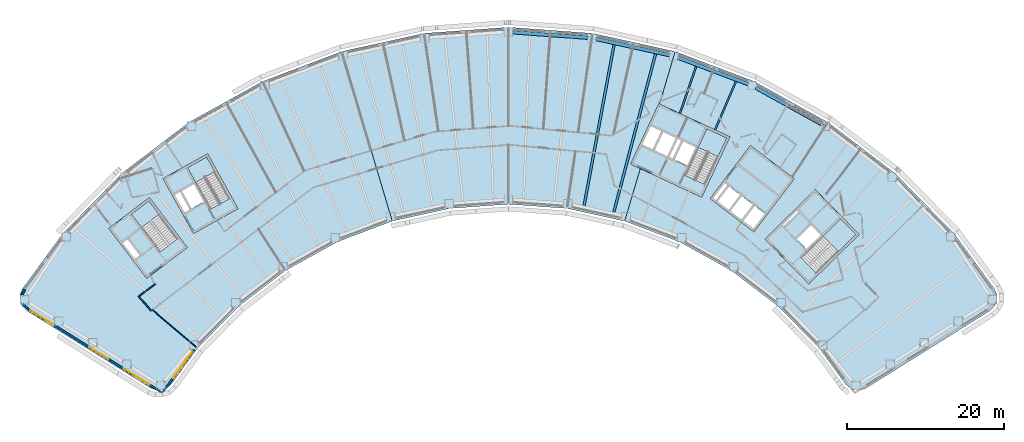
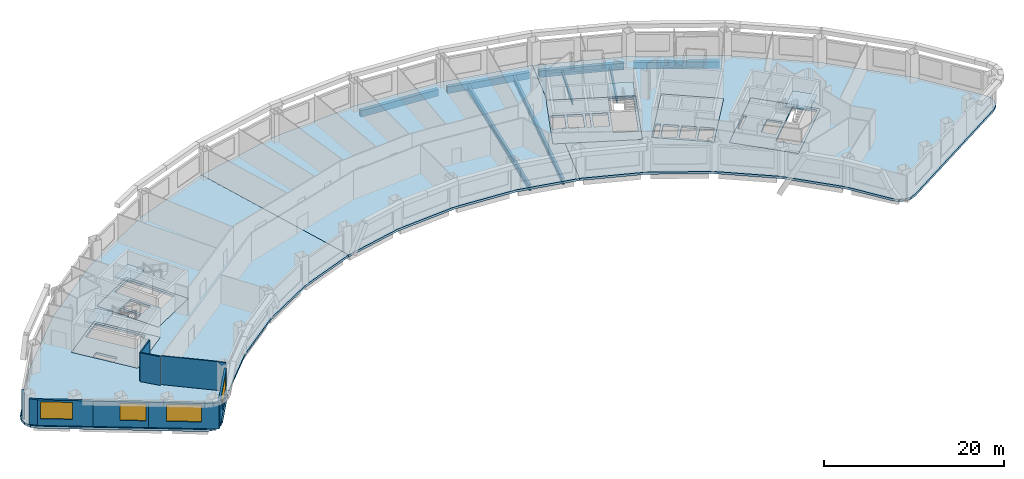
# One storey, part 2 of 11: 12 slabs, 9 walls, 8 beams, 4 windows, 4 openings, 4 elements without a shape of their own.
"""IFC4 building model written with IfcOpenShell, lengths in metres."""

from ifc_helpers import new_model, si_unit, direction, frame, frame_2d, origin, origin_2d, place, context, subcontext, project, spatial, polyline, rectangle, hollow_rectangle, i_section, outline, extrude, material, layer, layer_set, material_profile, profile_set, type_object, element, fill, aggregate, save


model = new_model("IFC4")

# Units and contexts
model_context = context("Model", 3, precision=1e-05, world=origin(), true_north=direction((0.0, 1.0)))
body_context = subcontext(model_context, "Body", "Model", "MODEL_VIEW")
ifc_project = project(units=[si_unit("LENGTHUNIT", "METRE"), si_unit("AREAUNIT", "SQUARE_METRE"), si_unit("VOLUMEUNIT", "CUBIC_METRE"), si_unit("PLANEANGLEUNIT", "RADIAN"), si_unit("MASSUNIT", "GRAM", prefix="KILO")], contexts=[model_context])

# Site, building, storey
site_placement = place(None, origin())
site = spatial("IfcSite", under=ifc_project, at=site_placement, CompositionType="ELEMENT")
building_placement = place(site_placement, origin())
building = spatial("IfcBuilding", under=site, at=building_placement, Name="Tuul Gate Civic Tower", CompositionType="ELEMENT")
storey_placement = place(building_placement, frame((0.0, 0.0, 120.300048828125)))
storey = spatial("IfcBuildingStorey", under=building, at=storey_placement, Name="Level 27", CompositionType="ELEMENT", Elevation=120.300048828125)

# Beams
ifc_material_1 = material(Name="Steel S355", Category="steel")
ifc_material_profile_1 = material_profile(ifc_material_1, i_section(OverallWidth=0.199951171875, OverallDepth=0.5, WebThickness=0.010009765625, FlangeThickness=0.01611328125, at=origin_2d()), Name="PG500x200x10x16")
ifc_profile_set_1 = profile_set([ifc_material_profile_1], Name="Steel S355")
beam_type_1 = type_object("IfcBeamType", Name="STR-FLOOR BEAM-PG500x200x10x16", PredefinedType="BEAM", material=ifc_profile_set_1)
beam_1_placement = place(storey_placement, frame((36.169677734375, 1.197998046875, -0.550048828125), z_axis=(0.394200560457, 0.919024438269, 0.0), x_axis=(-0.919024438269, 0.394200560457, 0.0)))
element("IfcBeam", 1, at=beam_1_placement, inside=storey, type_object=beam_type_1, Name="Floor beam", PredefinedType="BEAM", context=body_context, shape_type="SweptSolid", body=[
    extrude(i_section(OverallWidth=0.199951171875, OverallDepth=0.5, WebThickness=0.010009765625, FlangeThickness=0.01611328125, at=origin_2d()), origin(), (0.0, 0.0, 1.0), 6.704345703125),
])
beam_2_placement = place(storey_placement, frame((31.6875, 3.2880859375, -0.550048828125), z_axis=(0.325502200931, 0.945541282647, 0.0), x_axis=(-0.945541282647, 0.325502200931, 0.0)))
element("IfcBeam", 2, at=beam_2_placement, inside=storey, type_object=beam_type_1, Name="Floor beam", PredefinedType="BEAM", context=body_context, shape_type="SweptSolid", body=[
    extrude(i_section(OverallWidth=0.199951171875, OverallDepth=0.5, WebThickness=0.010009765625, FlangeThickness=0.01611328125, at=origin_2d()), origin(), (0.0, 0.0, 1.0), 6.3310546875),
])
ifc_material_2 = material(Name="Steel S355", Category="steel")
ifc_material_profile_2 = material_profile(ifc_material_2, i_section(OverallWidth=0.300048828125, OverallDepth=0.800048828125, WebThickness=0.013916015625, FlangeThickness=0.02490234375, at=origin_2d()), Name="PG800x300x14x25")
ifc_profile_set_2 = profile_set([ifc_material_profile_2], Name="Steel S355")
beam_type_2 = type_object("IfcBeamType", Name="STR-FLOOR BEAM-PG800x300x14x25", PredefinedType="BEAM", material=ifc_profile_set_2)
beam_3_placement = place(storey_placement, frame((23.267578125, -9.2548828125, -0.699951171875), z_axis=(0.255007612054, 0.966939045542, 0.0), x_axis=(-0.966939045542, 0.255007612054, 0.0)))
element("IfcBeam", 3, at=beam_3_placement, inside=storey, type_object=beam_type_2, Name="Floor beam", PredefinedType="BEAM", context=body_context, shape_type="SweptSolid", body=[
    extrude(i_section(OverallWidth=0.300048828125, OverallDepth=0.800048828125, WebThickness=0.013916015625, FlangeThickness=0.02490234375, at=origin_2d()), origin(), (0.0, 0.0, 1.0), 20.8173828125),
])
beam_4_placement = place(storey_placement, frame((19.477294921875, -8.419677734375, -0.699951171875), z_axis=(0.183147342328, 0.98308547492, 0.0), x_axis=(-0.98308547492, 0.183147342328, 0.0)))
element("IfcBeam", 4, at=beam_4_placement, inside=storey, type_object=beam_type_2, Name="Floor beam", PredefinedType="BEAM", context=body_context, shape_type="SweptSolid", body=[
    extrude(i_section(OverallWidth=0.300048828125, OverallDepth=0.800048828125, WebThickness=0.013916015625, FlangeThickness=0.02490234375, at=origin_2d()), origin(), (0.0, 0.0, 1.0), 20.811279296875),
])
ifc_material_3 = material(Name="Steel S355", Category="steel")
ifc_material_profile_3 = material_profile(ifc_material_3, hollow_rectangle(XDim=0.449951171875, YDim=0.89990234375, WallThickness=0.02490234375, at=origin_2d()), Name="BOX900x450x25")
ifc_profile_set_3 = profile_set([ifc_material_profile_3], Name="Steel S355")
beam_type_3 = type_object("IfcBeamType", Name="STR-SPANDREL BEAM-BOX900x450x25", PredefinedType="BEAM", material=ifc_profile_set_3)
beam_5_placement = place(storey_placement, frame((49.75, 1.9306640625, -0.75), z_axis=(-0.874633056334, 0.484785536879, 0.0), x_axis=(-0.484785536879, -0.874633056334, 0.0)))
element("IfcBeam", 5, at=beam_5_placement, inside=storey, type_object=beam_type_3, Name="Spandrel beam", PredefinedType="BEAM", context=body_context, shape_type="SweptSolid", body=[
    extrude(hollow_rectangle(XDim=0.449951171875, YDim=0.89990234375, WallThickness=0.02490234375, at=origin_2d()), origin(), (0.0, 0.0, 1.0), 9.57666015625),
])
beam_6_placement = place(storey_placement, frame((40.378662109375, 7.034423828125, -0.75), z_axis=(-0.935356695064, 0.353705884879, 0.0), x_axis=(-0.353705884879, -0.935356695064, 0.0)))
element("IfcBeam", 6, at=beam_6_placement, inside=storey, type_object=beam_type_3, Name="Spandrel beam", PredefinedType="BEAM", context=body_context, shape_type="SweptSolid", body=[
    extrude(hollow_rectangle(XDim=0.449951171875, YDim=0.89990234375, WallThickness=0.02490234375, at=origin_2d()), origin(), (0.0, 0.0, 1.0), 9.578369140625),
])
beam_7_placement = place(storey_placement, frame((30.367919921875, 10.7353515625, -0.75), z_axis=(-0.976564052188, 0.215226977802, 0.0), x_axis=(-0.215226977802, -0.976564052188, 0.0)))
element("IfcBeam", 7, at=beam_7_placement, inside=storey, type_object=beam_type_3, Name="Spandrel beam", PredefinedType="BEAM", context=body_context, shape_type="SweptSolid", body=[
    extrude(hollow_rectangle(XDim=0.449951171875, YDim=0.89990234375, WallThickness=0.02490234375, at=origin_2d()), origin(), (0.0, 0.0, 1.0), 9.5771484375),
])
beam_8_placement = place(storey_placement, frame((19.929443359375, 12.954833984375, -0.75), z_axis=(-0.997390439125, 0.072196343002, 0.0), x_axis=(-0.072196343002, -0.997390439125, 0.0)))
element("IfcBeam", 8, at=beam_8_placement, inside=storey, type_object=beam_type_3, Name="Spandrel beam", PredefinedType="BEAM", context=body_context, shape_type="SweptSolid", body=[
    extrude(hollow_rectangle(XDim=0.449951171875, YDim=0.89990234375, WallThickness=0.02490234375, at=origin_2d()), origin(), (0.0, 0.0, 1.0), 9.57666015625),
])

# Slabs
ifc_material_4 = material(Name="Concrete C40/50", Category="concrete")
ifc_layer_1 = layer(ifc_material_4, 0.300048828125)
ifc_layer_set_1 = layer_set([ifc_layer_1], Name="Concrete C40/50")
slab_type_1 = type_object("IfcSlabType", Name="Core floor slab 300", PredefinedType="FLOOR", material=ifc_layer_set_1)
slab_1_placement = place(storey_placement, frame((0.0, 0.0, -0.300048828125)))
element("IfcSlab", 9, at=slab_1_placement, inside=storey, type_object=slab_type_1, Name="FLOOR SLAB", PredefinedType="FLOOR", context=body_context, shape_type="SweptSolid", body=[
    extrude(outline(polyline([(-31.10009765625, -13.7890625), (-35.946044921875, -7.423828125), (-41.11767578125, -11.361572265625), (-36.271484375, -17.726806640625), (-31.10009765625, -13.7890625)]), holes=[polyline([(-37.19287109375, -14.783203125), (-38.737548828125, -12.75439453125), (-39.45361328125, -13.299560546875), (-37.908935546875, -15.328369140625), (-37.19287109375, -14.783203125)]), polyline([(-32.33935546875, -12.65771484375), (-34.56591796875, -14.352783203125), (-38.229736328125, -9.54052734375), (-36.003173828125, -7.845458984375), (-32.33935546875, -12.65771484375)])]), origin(), (0.0, 0.0, 1.0), 0.300048828125),
])
slab_2_placement = place(storey_placement, frame((0.0, 0.0, -0.300048828125)))
element("IfcSlab", 10, at=slab_2_placement, inside=storey, type_object=slab_type_1, Name="FLOOR SLAB", PredefinedType="FLOOR", context=body_context, shape_type="SweptSolid", body=[
    extrude(outline(polyline([(-24.638916015625, -8.846923828125), (-28.51708984375, -1.849853515625), (-34.2021484375, -5.0009765625), (-30.32421875, -11.998046875), (-24.638916015625, -8.846923828125)]), holes=[polyline([(-29.0185546875, -7.958740234375), (-30.254638671875, -5.728515625), (-31.785400390625, -6.576904296875), (-30.54931640625, -8.80712890625), (-29.0185546875, -7.958740234375)]), polyline([(-30.8115234375, -8.95263671875), (-32.047607421875, -6.72216796875), (-32.8349609375, -7.158447265625), (-31.5986328125, -9.388916015625), (-30.8115234375, -8.95263671875)]), polyline([(-25.702392578125, -7.548828125), (-28.14990234375, -8.905517578125), (-31.08203125, -3.615234375), (-28.63427734375, -2.2587890625), (-25.702392578125, -7.548828125)])]), origin(), (0.0, 0.0, 1.0), 0.300048828125),
])
slab_3_placement = place(storey_placement, frame((0.0, 0.0, -0.300048828125)))
element("IfcSlab", 11, at=slab_3_placement, inside=storey, type_object=slab_type_1, Name="FLOOR SLAB", PredefinedType="FLOOR", context=body_context, shape_type="SweptSolid", body=[
    extrude(outline(polyline([(48.117919921875, -18.43310546875), (54.545166015625, -12.1328125), (48.945068359375, -6.419921875), (42.517822265625, -12.719970703125), (48.117919921875, -18.43310546875)]), holes=[polyline([(47.808837890625, -13.974853515625), (49.6298828125, -12.18994140625), (48.40478515625, -10.940185546875), (46.583984375, -12.72509765625), (47.808837890625, -13.974853515625)]), polyline([(44.93896484375, -11.046875), (46.760009765625, -9.261962890625), (46.514892578125, -9.011962890625), (44.69384765625, -10.797119140625), (44.93896484375, -11.046875)]), polyline([(49.086181640625, -17.062744140625), (47.12744140625, -15.064208984375), (52.160888671875, -10.130126953125), (54.11962890625, -12.128662109375), (49.086181640625, -17.062744140625)])]), origin(), (0.0, 0.0, 1.0), 0.300048828125),
])
slab_4_placement = place(storey_placement, frame((0.0, 0.0, -0.300048828125)))
element("IfcSlab", 12, at=slab_4_placement, inside=storey, type_object=slab_type_1, Name="FLOOR SLAB", PredefinedType="FLOOR", context=body_context, shape_type="SweptSolid", body=[
    extrude(outline(polyline([(34.465087890625, -7.385986328125), (38.056884765625, 0.31787109375), (28.993896484375, 4.543701171875), (25.40185546875, -3.159912109375), (34.465087890625, -7.385986328125)]), holes=[polyline([(32.60888671875, -3.32080078125), (33.6865234375, -1.009765625), (32.1005859375, -0.27001953125), (31.02294921875, -2.581298828125), (32.60888671875, -3.32080078125)]), polyline([(30.0712890625, -2.137451171875), (31.14892578125, 0.173583984375), (29.562744140625, 0.9130859375), (28.4853515625, -1.39794921875), (30.0712890625, -2.137451171875)]), polyline([(30.751220703125, -2.454345703125), (31.82861328125, -0.143310546875), (31.4208984375, 0.046875), (30.34326171875, -2.264404296875), (30.751220703125, -2.454345703125)]), polyline([(28.21337890625, -1.27099609375), (29.291015625, 1.0400390625), (27.8408203125, 1.71630859375), (26.76318359375, -0.594970703125), (28.21337890625, -1.27099609375)]), polyline([(34.889892578125, -5.7626953125), (32.353759765625, -4.580078125), (35.120849609375, 1.354736328125), (37.6572265625, 0.17236328125), (34.889892578125, -5.7626953125)])]), origin(), (0.0, 0.0, 1.0), 0.300048828125),
])
ifc_material_5 = material(Name="Concrete C40/50", Category="concrete")
ifc_layer_2 = layer(ifc_material_5, 0.300048828125)
ifc_layer_set_2 = layer_set([ifc_layer_2], Name="Concrete C40/50")
slab_type_2 = type_object("IfcSlabType", Name="Core floor slab 300 non-bearing", PredefinedType="FLOOR", material=ifc_layer_set_2)
slab_5_placement = place(storey_placement, frame((0.0, 0.0, -0.300048828125)))
element("IfcSlab", 13, at=slab_5_placement, inside=storey, type_object=slab_type_2, Name="FLOOR SLAB", PredefinedType="FLOOR", context=body_context, shape_type="SweptSolid", body=[
    extrude(outline(polyline([(41.10107421875, -11.797119140625), (46.25, -5.033935546875), (40.680908203125, -0.79296875), (35.531982421875, -7.555908203125), (41.10107421875, -11.797119140625)]), holes=[polyline([(41.044189453125, -11.37646484375), (42.497802734375, -9.467041015625), (41.22509765625, -8.49755859375), (39.77099609375, -10.4072265625), (41.044189453125, -11.37646484375)]), polyline([(39.532470703125, -10.225341796875), (40.986328125, -8.31591796875), (39.593994140625, -7.255615234375), (38.14013671875, -9.165283203125), (39.532470703125, -10.225341796875)]), polyline([(37.901611328125, -8.9833984375), (39.35546875, -7.073974609375), (37.963134765625, -6.013671875), (36.50927734375, -7.923095703125), (37.901611328125, -8.9833984375)]), polyline([(36.1796875, -7.860595703125), (37.724609375, -5.831787109375), (37.286865234375, -5.49853515625), (35.7421875, -7.527587890625), (36.1796875, -7.860595703125)])]), origin(), (0.0, 0.0, 1.0), 0.300048828125),
])

# Stair, slab
ifc_material_6 = material(Name="Concrete C40/50", Category="concrete")
stair_type = type_object("IfcStairType", Name="Exit stair", PredefinedType="HALF_TURN_STAIR", material=ifc_material_6)
stair_1_placement = place(storey_placement, origin())
stair_1 = element("IfcStair", 14, at=stair_1_placement, inside=storey, type_object=stair_type, Name="Level 27 ST-1", PredefinedType="HALF_TURN_STAIR")
ifc_material_7 = material(Name="Concrete C40/50", Category="concrete")
ifc_layer_3 = layer(ifc_material_7, 0.199951171875)
ifc_layer_set_3 = layer_set([ifc_layer_3], Name="Concrete C40/50")
slab_type_3 = type_object("IfcSlabType", Name="Exit stair landing", PredefinedType="LANDING", material=ifc_layer_set_3)
slab_6_placement = place(storey_placement, frame((0.0, 0.0, 1.89990234375)))
slab_6 = element("IfcSlab", 15, at=slab_6_placement, type_object=slab_type_3, Name="ST-1 landing 1", PredefinedType="LANDING", context=body_context, shape_type="SweptSolid", body=[
    extrude(outline(polyline([(-34.699462890625, -9.554931640625), (-36.9287109375, -11.252197265625), (-38.23193359375, -9.540283203125), (-36.0029296875, -7.843017578125), (-34.699462890625, -9.554931640625)])), origin(), (0.0, 0.0, 1.0), 0.199951171875),
])
aggregate(stair_1, [slab_6])

stair_2_placement = place(storey_placement, origin())
stair_2 = element("IfcStair", 16, at=stair_2_placement, inside=storey, type_object=stair_type, Name="Level 27 ST-2", PredefinedType="HALF_TURN_STAIR")
slab_7_placement = place(storey_placement, frame((0.0, 0.0, 1.89990234375)))
slab_7 = element("IfcSlab", 17, at=slab_7_placement, type_object=slab_type_3, Name="ST-2 landing 1", PredefinedType="LANDING", context=body_context, shape_type="SweptSolid", body=[
    extrude(outline(polyline([(-27.5908203125, -4.138427734375), (-30.041015625, -5.49658203125), (-31.084228515625, -3.61474609375), (-28.6337890625, -2.256591796875), (-27.5908203125, -4.138427734375)])), origin(), (0.0, 0.0, 1.0), 0.199951171875),
])
aggregate(stair_2, [slab_7])

stair_3_placement = place(storey_placement, origin())
stair_3 = element("IfcStair", 18, at=stair_3_placement, inside=storey, type_object=stair_type, Name="Level 27 ST-3", PredefinedType="HALF_TURN_STAIR")
slab_8_placement = place(storey_placement, frame((0.0, 0.0, 1.89990234375)))
slab_8 = element("IfcSlab", 19, at=slab_8_placement, type_object=slab_type_3, Name="ST-3 landing 1", PredefinedType="LANDING", context=body_context, shape_type="SweptSolid", body=[
    extrude(outline(polyline([(51.871337890625, -14.3349609375), (49.91015625, -12.334228515625), (52.160888671875, -10.1279296875), (54.1220703125, -12.128662109375), (51.871337890625, -14.3349609375)])), origin(), (0.0, 0.0, 1.0), 0.199951171875),
])
aggregate(stair_3, [slab_8])

stair_4_placement = place(storey_placement, origin())
stair_4 = element("IfcStair", 20, at=stair_4_placement, inside=storey, type_object=stair_type, Name="Level 27 ST-4", PredefinedType="HALF_TURN_STAIR")
slab_9_placement = place(storey_placement, frame((0.0, 0.0, 1.89990234375)))
slab_9 = element("IfcSlab", 21, at=slab_9_placement, type_object=slab_type_3, Name="ST-4 landing 1", PredefinedType="LANDING", context=body_context, shape_type="SweptSolid", body=[
    extrude(outline(polyline([(36.538818359375, -2.230224609375), (33.999755859375, -1.046142578125), (35.1201171875, 1.35693359375), (37.659423828125, 0.173095703125), (36.538818359375, -2.230224609375)])), origin(), (0.0, 0.0, 1.0), 0.199951171875),
])
aggregate(stair_4, [slab_9])

# Slabs
ifc_material_8 = material(Name="Concrete C35/45", Category="concrete")
ifc_layer_4 = layer(ifc_material_8, 0.300048828125)
ifc_layer_set_4 = layer_set([ifc_layer_4], Name="Concrete C35/45")
slab_type_4 = type_object("IfcSlabType", Name="STR-FLOOR-SLAB-300", PredefinedType="FLOOR", material=ifc_layer_set_4)
slab_10_placement = place(storey_placement, frame((0.0, 0.0, -0.300048828125)))
element("IfcSlab", 22, at=slab_10_placement, inside=storey, type_object=slab_type_4, Name="Level 27/slab/W", PredefinedType="FLOOR", context=body_context, shape_type="SweptSolid", body=[
    extrude(outline(polyline([(-12.0048828125, -13.0830078125), (-4.985107421875, -10.427978515625), (-11.4189453125, 11.194091796875), (-21.488037109375, 7.385986328125), (-30.902099609375, 2.1669921875), (-39.467041015625, -4.35302734375), (-47.001953125, -12.0400390625), (-52.0830078125, -18.9970703125), (-52.4189453125, -19.739990234375), (-52.430908203125, -20.555908203125), (-52.116943359375, -21.30810546875), (-51.527099609375, -21.8720703125), (-35.797119140625, -31.701904296875), (-35.10302734375, -31.971923828125), (-34.35791015625, -31.968994140625), (-33.666015625, -31.694091796875), (-33.1220703125, -31.18505859375), (-29.79296875, -26.626953125), (-24.5400390625, -21.26806640625), (-18.569091796875, -16.720947265625), (-12.0048828125, -13.0830078125)]), holes=[polyline([(-31.10009765625, -13.7890625), (-36.27197265625, -17.72705078125), (-41.117919921875, -11.362060546875), (-35.946044921875, -7.424072265625), (-31.10009765625, -13.7890625)]), polyline([(-24.638916015625, -8.846923828125), (-30.323974609375, -11.998046875), (-34.201904296875, -5.0009765625), (-28.51708984375, -1.85009765625), (-24.638916015625, -8.846923828125)])]), origin(), (0.0, 0.0, 1.0), 0.300048828125),
])
slab_11_placement = place(storey_placement, frame((0.0, 0.0, -0.300048828125)))
element("IfcSlab", 23, at=slab_11_placement, inside=storey, type_object=slab_type_4, Name="Level 27/slab/M", PredefinedType="FLOOR", context=body_context, shape_type="SweptSolid", body=[
    extrude(outline(polyline([(24.64306640625, -10.427978515625), (26.635009765625, -3.735107421875), (25.402099609375, -3.159912109375), (28.993896484375, 4.5439453125), (29.0859375, 4.5009765625), (31.076904296875, 11.194091796875), (20.56494140625, 13.510009765625), (9.8291015625, 14.2880859375), (-0.906982421875, 13.510009765625), (-11.4189453125, 11.194091796875), (-4.985107421875, -10.427978515625), (2.343994140625, -8.81298828125), (9.8291015625, -8.27099609375), (17.31396484375, -8.81298828125), (24.64306640625, -10.427978515625)])), origin(), (0.0, 0.0, 1.0), 0.300048828125),
])
slab_12_placement = place(storey_placement, frame((0.0, 0.0, -0.300048828125)))
element("IfcSlab", 24, at=slab_12_placement, inside=storey, type_object=slab_type_4, Name="Level 27/slab/E", PredefinedType="FLOOR", context=body_context, shape_type="SweptSolid", body=[
    extrude(outline(polyline([(54.760986328125, -31.971923828125), (55.455078125, -31.701904296875), (71.18505859375, -21.8720703125), (71.77392578125, -21.30810546875), (72.089111328125, -20.555908203125), (72.076904296875, -19.739990234375), (71.739990234375, -18.9970703125), (66.659912109375, -12.0400390625), (59.1240234375, -4.35302734375), (50.56005859375, 2.1669921875), (41.14501953125, 7.385986328125), (31.076904296875, 11.194091796875), (29.0859375, 4.5009765625), (38.056884765625, 0.318115234375), (34.465087890625, -7.385986328125), (26.635009765625, -3.735107421875), (24.64306640625, -10.427978515625), (31.6630859375, -13.0830078125), (38.22607421875, -16.720947265625), (44.197021484375, -21.26806640625), (49.450927734375, -26.626953125), (52.780029296875, -31.18505859375), (53.323974609375, -31.694091796875), (54.01611328125, -31.968994140625), (54.760986328125, -31.971923828125)]), holes=[polyline([(48.117919921875, -18.43310546875), (42.51806640625, -12.719970703125), (48.945068359375, -6.419921875), (54.544921875, -12.133056640625), (48.117919921875, -18.43310546875)]), polyline([(35.531982421875, -7.555908203125), (40.680908203125, -0.79296875), (46.25, -5.033935546875), (41.10107421875, -11.797119140625), (35.531982421875, -7.555908203125)])]), origin(), (0.0, 0.0, 1.0), 0.300048828125),
])

# Walls
ifc_material_9 = material(Name="Gypsum board partition")
ifc_layer_5 = layer(ifc_material_9, 0.14990234375)
ifc_layer_set_5 = layer_set([ifc_layer_5], Name="Gypsum board partition")
wall_type_1 = type_object("IfcWallType", Name="Corridor wall P150", PredefinedType="PARTITIONING", material=ifc_layer_set_5)
wall_1_placement = place(storey_placement, frame((-37.302978515625, -20.042236328125, 0.0), z_axis=(0.0, 0.0, 1.0), x_axis=(0.796666926705, 0.604418570111, 0.0)))
element("IfcWall", 25, at=wall_1_placement, inside=storey, type_object=wall_type_1, Name="p062", PredefinedType="PARTITIONING", context=body_context, shape_type="SweptSolid", body=[
    extrude(rectangle(XDim=2.664306640625, YDim=0.14990234375, at=frame_2d((1.33203125, 0.0))), origin(), (0.0, 0.0, 1.0), 3.89990234375),
])
wall_2_placement = place(storey_placement, frame((-37.302978515625, -20.042236328125, 0.0), z_axis=(0.0, 0.0, 1.0), x_axis=(0.665190574905, -0.746673622848, 0.0)))
element("IfcWall", 26, at=wall_2_placement, inside=storey, type_object=wall_type_1, Name="p075", PredefinedType="PARTITIONING", context=body_context, shape_type="SweptSolid", body=[
    extrude(rectangle(XDim=2.39990234375, YDim=0.14990234375, at=frame_2d((1.199951171875, 0.0))), origin(), (0.0, 0.0, 1.0), 3.89990234375),
])
ifc_material_10 = material(Name="Precast concrete C40/50", Category="concrete")
ifc_layer_6 = layer(ifc_material_10, 0.25)
ifc_layer_set_6 = layer_set([ifc_layer_6], Name="Precast concrete C40/50")
wall_type_2 = type_object("IfcWallType", Name="External wall", PredefinedType="STANDARD", material=ifc_layer_set_6)
wall_3_placement = place(storey_placement, frame((-51.84814453125, -19.136474609375, 0.0), z_axis=(0.0, 0.0, 1.0), x_axis=(-0.411894351911, -0.911231607696, 0.0)))
element("IfcWall", 27, at=wall_3_placement, inside=storey, type_object=wall_type_2, Name="External wall", PredefinedType="STANDARD", context=body_context, shape_type="SweptSolid", body=[
    extrude(rectangle(XDim=0.829345703125, YDim=0.25, at=frame_2d((0.41455078125, 0.0))), origin(), (0.0, 0.0, 1.0), 3.449951171875),
])
wall_4_placement = place(storey_placement, frame((-52.053466796875, -20.991943359375, 0.0), z_axis=(0.0, 0.0, 1.0), x_axis=(0.722104872767, -0.691783602527, 0.0)))
element("IfcWall", 28, at=wall_4_placement, inside=storey, type_object=wall_type_2, Name="External wall", PredefinedType="STANDARD", context=body_context, shape_type="SweptSolid", body=[
    extrude(rectangle(XDim=0.958251953125, YDim=0.25, at=frame_2d((0.47900390625, 0.0))), origin(), (0.0, 0.0, 1.0), 3.449951171875),
])

# Wall, opening, window
wall_5_placement = place(storey_placement, frame((-51.3818359375, -21.638916015625, 0.0), z_axis=(0.0, 0.0, 1.0), x_axis=(0.848053758074, -0.529910203164, 0.0)))
wall_5 = element("IfcWall", 29, at=wall_5_placement, inside=storey, type_object=wall_type_2, Name="External wall", PredefinedType="STANDARD", context=body_context, shape_type="SweptSolid", body=[
    extrude(rectangle(XDim=6.182861328125, YDim=0.25, at=frame_2d((3.09130859375, 0.0))), origin(), (0.0, 0.0, 1.0), 3.449951171875),
])
opening_1_placement = place(wall_5_placement, frame((0.322998046875, 0.0, 0.89990234375)))
opening_1 = element("IfcOpeningElement", 30, at=opening_1_placement, cuts=wall_5, Name="Opening W112", PredefinedType="OPENING", context=body_context, shape_type="SweptSolid", body=[
    extrude(rectangle(XDim=3.550048828125, YDim=2.300048828125, at=frame_2d((1.77490234375, 1.14990234375))), frame((0.0, 0.135009765625, 0.0), z_axis=(0.0, -1.0, 0.0), x_axis=(1.0, 0.0, 0.0)), (0.0, 0.0, 1.0), 0.27001953125),
])
ifc_material_11 = material(Name="Glass", Category="glass")
window_type_1 = type_object("IfcWindowType", Name="Window W112 3550 x 2300", PartitioningType="SINGLE_PANEL", PredefinedType="WINDOW", material=ifc_material_11)
window_1_placement = place(opening_1_placement, origin())
window_1 = element("IfcWindow", 31, at=window_1_placement, inside=storey, type_object=window_type_1, Name="Window", OverallHeight=2.300048828125, OverallWidth=3.550048828125, PartitioningType="SINGLE_PANEL", PredefinedType="WINDOW", context=body_context, shape_type="SweptSolid", body=[
    extrude(rectangle(XDim=3.550048828125, YDim=2.300048828125, at=frame_2d((1.77490234375, 1.14990234375))), frame((0.0, 0.030029296875, 0.0), z_axis=(0.0, -1.0, 0.0), x_axis=(1.0, 0.0, 0.0)), (0.0, 0.0, 1.0), 0.06005859375),
])
fill(opening_1, window_1)

wall_6_placement = place(storey_placement, frame((-46.138427734375, -24.915283203125, 0.0), z_axis=(0.0, 0.0, 1.0), x_axis=(0.848053758074, -0.529910203164, 0.0)))
wall_6 = element("IfcWall", 32, at=wall_6_placement, inside=storey, type_object=wall_type_2, Name="External wall", PredefinedType="STANDARD", context=body_context, shape_type="SweptSolid", body=[
    extrude(rectangle(XDim=6.182861328125, YDim=0.25, at=frame_2d((3.09130859375, 0.0))), origin(), (0.0, 0.0, 1.0), 3.449951171875),
])
opening_2_placement = place(wall_6_placement, frame((3.006103515625, 0.0, 0.89990234375)))
opening_2 = element("IfcOpeningElement", 33, at=opening_2_placement, cuts=wall_6, Name="Opening W68", PredefinedType="OPENING", context=body_context, shape_type="SweptSolid", body=[
    extrude(rectangle(XDim=2.85009765625, YDim=2.300048828125, at=frame_2d((1.425048828125, 1.14990234375))), frame((0.0, 0.135009765625, 0.0), z_axis=(0.0, -1.0, 0.0), x_axis=(1.0, 0.0, 0.0)), (0.0, 0.0, 1.0), 0.27001953125),
])
ifc_material_12 = material(Name="Glass", Category="glass")
window_type_2 = type_object("IfcWindowType", Name="Window 2850 x 2300", PartitioningType="SINGLE_PANEL", PredefinedType="WINDOW", material=ifc_material_12)
window_2_placement = place(opening_2_placement, origin())
window_2 = element("IfcWindow", 34, at=window_2_placement, inside=storey, type_object=window_type_2, Name="Window", OverallHeight=2.300048828125, OverallWidth=2.85009765625, PartitioningType="SINGLE_PANEL", PredefinedType="WINDOW", context=body_context, shape_type="SweptSolid", body=[
    extrude(rectangle(XDim=2.85009765625, YDim=2.300048828125, at=frame_2d((1.425048828125, 1.14990234375))), frame((0.0, 0.030029296875, 0.0), z_axis=(0.0, -1.0, 0.0), x_axis=(1.0, 0.0, 0.0)), (0.0, 0.0, 1.0), 0.06005859375),
])
fill(opening_2, window_2)

wall_7_placement = place(storey_placement, frame((-40.89501953125, -28.191650390625, 0.0), z_axis=(0.0, 0.0, 1.0), x_axis=(0.848044094411, -0.529925668311, 0.0)))
wall_7 = element("IfcWall", 35, at=wall_7_placement, inside=storey, type_object=wall_type_2, Name="External wall", PredefinedType="STANDARD", context=body_context, shape_type="SweptSolid", body=[
    extrude(rectangle(XDim=7.787353515625, YDim=0.25, at=frame_2d((3.8935546875, 0.0))), origin(), (0.0, 0.0, 1.0), 3.449951171875),
])
opening_3_placement = place(wall_7_placement, frame((1.9951171875, 0.0, 0.89990234375)))
opening_3 = element("IfcOpeningElement", 36, at=opening_3_placement, cuts=wall_7, Name="Opening W22", PredefinedType="OPENING", context=body_context, shape_type="SweptSolid", body=[
    extrude(rectangle(XDim=3.85009765625, YDim=2.300048828125, at=frame_2d((1.925048828125, 1.14990234375))), frame((0.0, 0.135009765625, 0.0), z_axis=(0.0, -1.0, 0.0), x_axis=(1.0, 0.0, 0.0)), (0.0, 0.0, 1.0), 0.27001953125),
])
ifc_material_13 = material(Name="Glass", Category="glass")
window_type_3 = type_object("IfcWindowType", Name="Window W22 3850 x 2300", PartitioningType="SINGLE_PANEL", PredefinedType="WINDOW", material=ifc_material_13)
window_3_placement = place(opening_3_placement, origin())
window_3 = element("IfcWindow", 37, at=window_3_placement, inside=storey, type_object=window_type_3, Name="Window", OverallHeight=2.300048828125, OverallWidth=3.85009765625, PartitioningType="SINGLE_PANEL", PredefinedType="WINDOW", context=body_context, shape_type="SweptSolid", body=[
    extrude(rectangle(XDim=3.85009765625, YDim=2.300048828125, at=frame_2d((1.925048828125, 1.14990234375))), frame((0.0, 0.030029296875, 0.0), z_axis=(0.0, -1.0, 0.0), x_axis=(1.0, 0.0, 0.0)), (0.0, 0.0, 1.0), 0.06005859375),
])
fill(opening_3, window_3)

wall_8_placement = place(storey_placement, frame((-34.291015625, -32.318359375, 0.0), z_axis=(0.0, 0.0, 1.0), x_axis=(0.589868212008, 0.807499530936, 0.0)))
wall_8 = element("IfcWall", 38, at=wall_8_placement, inside=storey, type_object=wall_type_2, Name="External wall", PredefinedType="STANDARD", context=body_context, shape_type="SweptSolid", body=[
    extrude(rectangle(XDim=6.8486328125, YDim=0.25, at=frame_2d((3.42431640625, 0.0))), origin(), (0.0, 0.0, 1.0), 3.449951171875),
])
opening_4_placement = place(wall_8_placement, frame((2.356689453125, 0.0, 0.89990234375)))
opening_4 = element("IfcOpeningElement", 39, at=opening_4_placement, cuts=wall_8, Name="Opening W25", PredefinedType="OPENING", context=body_context, shape_type="SweptSolid", body=[
    extrude(rectangle(XDim=4.14990234375, YDim=2.300048828125, at=frame_2d((2.074951171875, 1.14990234375))), frame((0.0, 0.135009765625, 0.0), z_axis=(0.0, -1.0, 0.0), x_axis=(1.0, 0.0, 0.0)), (0.0, 0.0, 1.0), 0.27001953125),
])
ifc_material_14 = material(Name="Glass", Category="glass")
window_type_4 = type_object("IfcWindowType", Name="Window W25 4150 x 2300", PartitioningType="SINGLE_PANEL", PredefinedType="WINDOW", material=ifc_material_14)
window_4_placement = place(opening_4_placement, origin())
window_4 = element("IfcWindow", 40, at=window_4_placement, inside=storey, type_object=window_type_4, Name="Window", OverallHeight=2.300048828125, OverallWidth=4.14990234375, PartitioningType="SINGLE_PANEL", PredefinedType="WINDOW", context=body_context, shape_type="SweptSolid", body=[
    extrude(rectangle(XDim=4.14990234375, YDim=2.300048828125, at=frame_2d((2.074951171875, 1.14990234375))), frame((0.0, 0.030029296875, 0.0), z_axis=(0.0, -1.0, 0.0), x_axis=(1.0, 0.0, 0.0)), (0.0, 0.0, 1.0), 0.06005859375),
])
fill(opening_4, window_4)

# Wall
ifc_material_15 = material(Name="Gypsum board partition")
ifc_layer_7 = layer(ifc_material_15, 0.10009765625)
ifc_layer_set_7 = layer_set([ifc_layer_7], Name="Gypsum board partition")
wall_type_3 = type_object("IfcWallType", Name="Partition P100", PredefinedType="PARTITIONING", material=ifc_layer_set_7)
wall_9_placement = place(storey_placement, frame((-35.570068359375, -21.730712890625, 0.0), z_axis=(0.0, 0.0, 1.0), x_axis=(0.762839417158, -0.646587985993, 0.0)))
element("IfcWall", 41, at=wall_9_placement, inside=storey, type_object=wall_type_3, Name="p071", PredefinedType="PARTITIONING", context=body_context, shape_type="SweptSolid", body=[
    extrude(rectangle(XDim=7.302001953125, YDim=0.10009765625, at=frame_2d((3.65087890625, 0.0))), origin(), (0.0, 0.0, 1.0), 3.89990234375),
])

save(model, "model.ifc")
